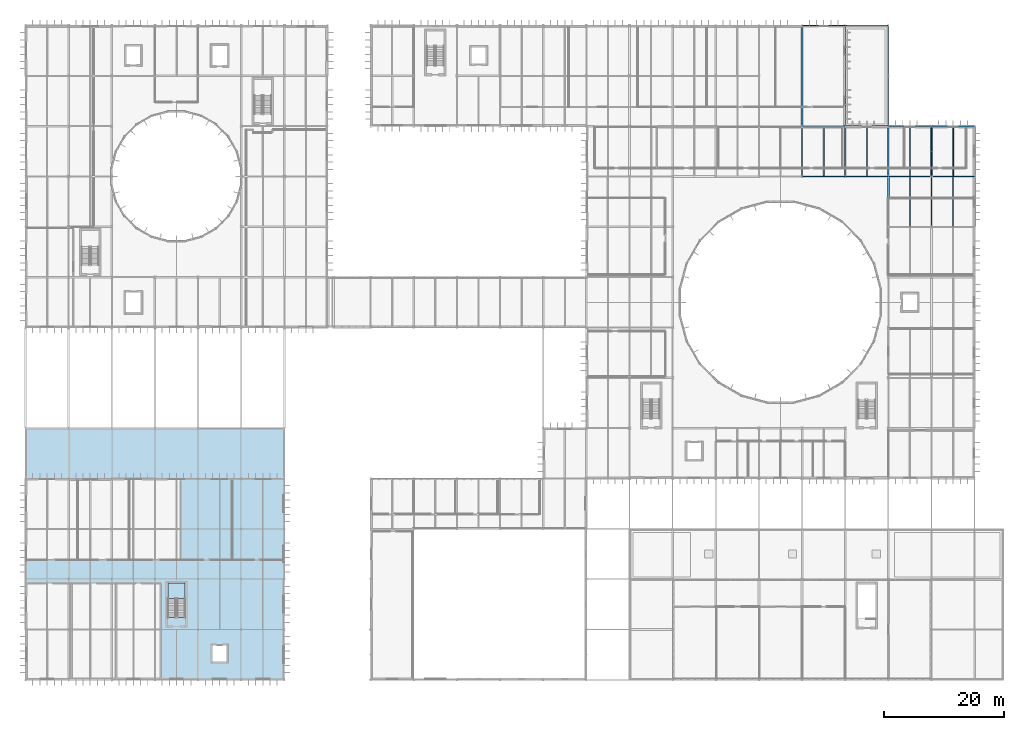
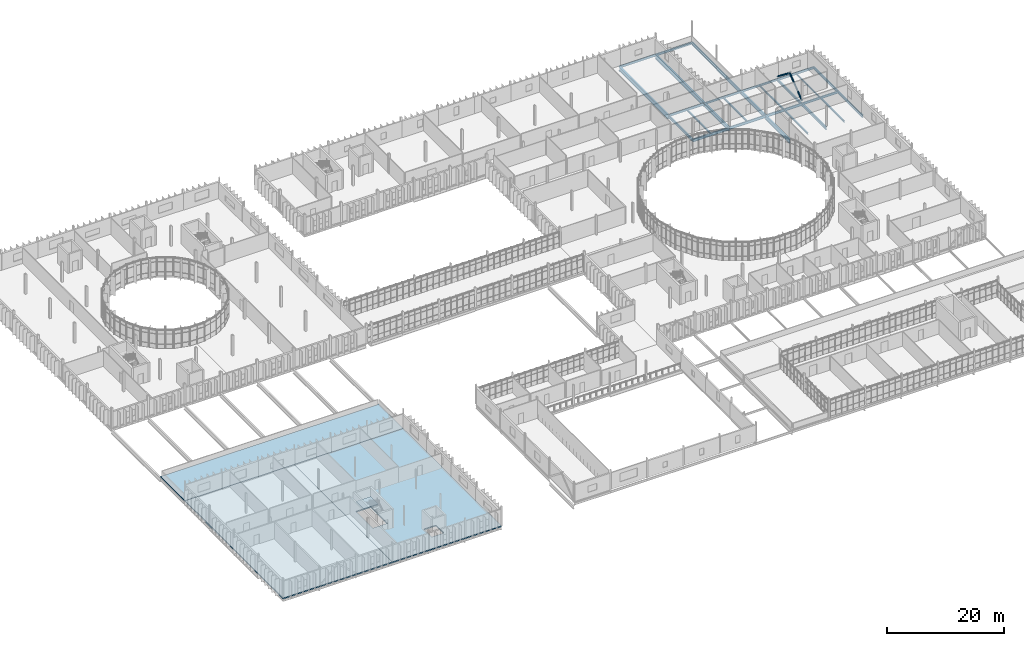
# One storey, part 66 of 119: 28 beams, 4 slabs, 2 members, 1 element without a shape of its own.
"""IFC4 building model written with IfcOpenShell, lengths in metres."""

import ifcopenshell
import ifcopenshell.guid

model = None  # the IFC model being written
_history = None  # IfcOwnerHistory: only IFC2X3 demands one
_inside = {}  # id of a spatial element -> (the spatial element, [elements in it])
_under = {}  # id of a project, library or spatial element -> (it, [spatial elements below it])
_declared = {}  # id of a project -> (the project, [libraries it declares])
_typed = {}  # id of a type object -> (the type object, [elements of that type])
_made_of = {}  # id of a material, layer set ... -> (it, [elements and type objects made of it])


def new_model(schema):
    """Start an empty IFC model of exactly this schema.

    Asked for "IFC4X3", IfcOpenShell would pick the latest addendum, in which some entities
    have other attributes; the version numbers below select the first issue.
    IFC2X3 requires an IfcOwnerHistory on every rooted entity: one is made here for all.
    """
    global model, _history
    if schema == "IFC4X3":
        model = ifcopenshell.file(schema_version=(4, 3, 0, 0))
    else:
        model = ifcopenshell.file(schema=schema)
    _inside.clear()
    _under.clear()
    _declared.clear()
    _typed.clear()
    _made_of.clear()
    _history = None
    if model.schema == "IFC2X3":
        org = make("IfcOrganization", Name="unknown")
        user = make(
            "IfcPersonAndOrganization",
            ThePerson=make("IfcPerson", FamilyName="unknown"),
            TheOrganization=org,
        )
        app = make(
            "IfcApplication",
            ApplicationDeveloper=org,
            Version="unknown",
            ApplicationFullName="unknown",
            ApplicationIdentifier="unknown",
        )
        _history = make(
            "IfcOwnerHistory",
            OwningUser=user,
            OwningApplication=app,
            ChangeAction="ADDED",
            CreationDate=0,
        )
    return model


def make(cls, **values):
    """One entity of the class cls with the attributes given. An attribute that is None is left unset."""
    return model.create_entity(
        cls, **{name: value for name, value in values.items() if value is not None}
    )


def rooted(cls, **values):
    """An entity with a GlobalId (a new one), such as an element, a storey or a relation."""
    return make(cls, GlobalId=ifcopenshell.guid.new(), OwnerHistory=_history, **values)


def si_unit(unit_type, name, prefix=None):
    """IfcSIUnit, for example si_unit("LENGTHUNIT", "METRE", prefix="MILLI")."""
    return make("IfcSIUnit", UnitType=unit_type, Prefix=prefix, Name=name)


def assignment(units):
    """IfcUnitAssignment: the units of a project."""
    return None if units is None else make("IfcUnitAssignment", Units=units)


def point(xyz):
    """IfcCartesianPoint."""
    return None if xyz is None else make("IfcCartesianPoint", Coordinates=xyz)


def direction(xyz):
    """IfcDirection."""
    return None if xyz is None else make("IfcDirection", DirectionRatios=xyz)


def frame(location, z_axis=None, x_axis=None):
    """IfcAxis2Placement3D, a coordinate frame: its origin and axes. An axis left out is left unset."""
    return make(
        "IfcAxis2Placement3D",
        Location=point(location),
        Axis=direction(z_axis),
        RefDirection=direction(x_axis),
    )


def frame_2d(location, x_axis=None):
    """IfcAxis2Placement2D, a coordinate frame in the plane: its origin and x axis."""
    return make(
        "IfcAxis2Placement2D", Location=point(location), RefDirection=direction(x_axis)
    )


def origin():
    """The frame at (0, 0, 0) with its axes left unset."""
    return frame((0.0, 0.0, 0.0))


def origin_2d():
    """The frame at (0, 0) in the plane with its x axis left unset."""
    return frame_2d((0.0, 0.0))


def place(relative_to, where):
    """IfcLocalPlacement: puts the frame where relative to a parent placement (None: the world)."""
    return make(
        "IfcLocalPlacement", PlacementRelTo=relative_to, RelativePlacement=where
    )


def context(
    kind, dimensions, precision=None, world=None, true_north=None, identifier=None
):
    """IfcGeometricRepresentationContext, for example the 3D "Model" context."""
    return make(
        "IfcGeometricRepresentationContext",
        ContextIdentifier=identifier,
        ContextType=kind,
        CoordinateSpaceDimension=dimensions,
        Precision=precision,
        WorldCoordinateSystem=world,
        TrueNorth=true_north,
    )


def subcontext(parent, identifier, kind, view, scale=None):
    """IfcGeometricRepresentationSubContext, for example "Body" below "Model"."""
    return make(
        "IfcGeometricRepresentationSubContext",
        ContextIdentifier=identifier,
        ContextType=kind,
        ParentContext=parent,
        TargetScale=scale,
        TargetView=view,
    )


def project(units=None, contexts=None):
    """IfcProject with its units and contexts."""
    return rooted(
        "IfcProject",
        Name="project",
        RepresentationContexts=contexts,
        UnitsInContext=assignment(units),
    )


def spatial(cls, under=None, at=None, **own):
    """A site, building, storey or space (cls), placed at a placement, below another one or the project."""
    s = rooted(cls, ObjectPlacement=at, **own)
    if under is not None:
        _under.setdefault(under.id(), (under, []))[1].append(s)
    return s


def polyline(points):
    """IfcPolyline through the points."""
    return make("IfcPolyline", Points=[point(p) for p in points])


def profile(cls, at=None, kind="AREA", **sizes):
    """A parametric profile (cls). Its sizes go by their IFC names, for example OverallWidth=200.0."""
    return make(cls, ProfileType=kind, Position=at, **sizes)


def hollow_circle(**sizes):
    """IfcCircleHollowProfileDef."""
    return profile("IfcCircleHollowProfileDef", **sizes)


def i_section(**sizes):
    """IfcIShapeProfileDef."""
    return profile("IfcIShapeProfileDef", **sizes)


def outline(outer, holes=None, kind="AREA"):
    """IfcArbitraryClosedProfileDef: a profile drawn as a closed curve; with holes, ...WithVoids."""
    if holes is None:
        return make("IfcArbitraryClosedProfileDef", ProfileType=kind, OuterCurve=outer)
    return make(
        "IfcArbitraryProfileDefWithVoids",
        ProfileType=kind,
        OuterCurve=outer,
        InnerCurves=holes,
    )


def extrude(swept, where, along, depth):
    """IfcExtrudedAreaSolid: the profile swept, set in the frame where, extruded along a direction by depth."""
    return make(
        "IfcExtrudedAreaSolid",
        SweptArea=swept,
        Position=where,
        ExtrudedDirection=direction(along),
        Depth=depth,
    )


def shape(context_of_items, identifier, shape_type, items):
    """IfcShapeRepresentation: the items that make up one representation, for example the "Body"."""
    return make(
        "IfcShapeRepresentation",
        ContextOfItems=context_of_items,
        RepresentationIdentifier=identifier,
        RepresentationType=shape_type,
        Items=items,
    )


def material(Name=None, Category=None):
    """IfcMaterial."""
    return make("IfcMaterial", Name=Name, Category=Category)


def layer(
    of_material, thickness, ventilated=None, Name=None, Category=None, Priority=None
):
    """IfcMaterialLayer: one layer of a wall or slab, of a material (None: an air gap)."""
    return make(
        "IfcMaterialLayer",
        Material=of_material,
        LayerThickness=thickness,
        IsVentilated=ventilated,
        Name=Name,
        Category=Category,
        Priority=Priority,
    )


def layer_set(layers, Name=None):
    """IfcMaterialLayerSet."""
    return make("IfcMaterialLayerSet", MaterialLayers=layers, LayerSetName=Name)


def material_profile(
    of_material, cross_section, Name=None, Category=None, Priority=None
):
    """IfcMaterialProfile: a cross section and its material."""
    return make(
        "IfcMaterialProfile",
        Name=Name,
        Material=of_material,
        Profile=cross_section,
        Priority=Priority,
        Category=Category,
    )


def profile_set(profiles, Name=None, composite=None):
    """IfcMaterialProfileSet."""
    return make(
        "IfcMaterialProfileSet",
        Name=Name,
        MaterialProfiles=profiles,
        CompositeProfile=composite,
    )


def made_of(thing, what):
    """Note that an element or type object is made of a material, layer set ...; save() writes the relation."""
    if what is not None:
        _made_of.setdefault(what.id(), (what, []))[1].append(thing)
    return thing


def type_object(cls, material=None, **own):
    """A type object (cls), such as IfcWallType, which elements share."""
    return made_of(rooted(cls, **own), material)


def element(
    cls,
    number,
    at=None,
    inside=None,
    cuts=None,
    type_object=None,
    material=None,
    context=None,
    identifier="Body",
    shape_type=None,
    held_by="IfcProductDefinitionShape",
    body=None,
    shapes=None,
    **own,
):
    """One element of the class cls, such as IfcWall. Its Tag is "e" and its number.

    at: its placement. inside: the storey or other place that contains it. cuts: it is an
    opening in that element (IfcRelVoidsElement). A single representation is given by context,
    identifier, shape_type and body (its items); several are given by shapes. held_by: the class
    of the entity that holds the representations. save() writes the other relations.
    """
    e = rooted(cls, Tag="e%d" % number, ObjectPlacement=at, **own)
    if body is not None:
        shapes = [shape(context, identifier, shape_type, body)]
    if shapes is not None:
        e.Representation = make(held_by, Representations=shapes)
    if inside is not None:
        _inside.setdefault(inside.id(), (inside, []))[1].append(e)
    if cuts is not None:
        rooted(
            "IfcRelVoidsElement", RelatingBuildingElement=cuts, RelatedOpeningElement=e
        )
    if type_object is not None:
        _typed.setdefault(type_object.id(), (type_object, []))[1].append(e)
    return made_of(e, material)


def aggregate(whole, parts):
    """IfcRelAggregates: a whole, such as a stair, and the parts it consists of."""
    return rooted("IfcRelAggregates", RelatingObject=whole, RelatedObjects=parts)


def save(model, path):
    """Write the relations noted so far, then the file.

    IfcRelAggregates (storeys below a building ...), IfcRelContainedInSpatialStructure (elements
    in a storey), IfcRelDefinesByType, IfcRelAssociatesMaterial and IfcRelDeclares: one each for
    every whole, place, type object, material and project.
    """
    for whole, parts in _under.values():
        aggregate(whole, parts)
    for where, things in _inside.values():
        rooted(
            "IfcRelContainedInSpatialStructure",
            RelatedElements=things,
            RelatingStructure=where,
        )
    for kind, things in _typed.values():
        rooted("IfcRelDefinesByType", RelatedObjects=things, RelatingType=kind)
    for what, things in _made_of.values():
        rooted("IfcRelAssociatesMaterial", RelatedObjects=things, RelatingMaterial=what)
    for by, libraries in _declared.values():
        rooted("IfcRelDeclares", RelatingContext=by, RelatedDefinitions=libraries)
    model.write(path)


model = new_model("IFC4")

# Units and contexts
model_context = context("Model", 3, precision=1e-05, world=origin(), true_north=direction((0.0, 1.0)))
body_context = subcontext(model_context, "Body", "Model", "MODEL_VIEW")
ifc_project = project(units=[si_unit("LENGTHUNIT", "METRE"), si_unit("AREAUNIT", "SQUARE_METRE"), si_unit("VOLUMEUNIT", "CUBIC_METRE"), si_unit("PLANEANGLEUNIT", "RADIAN"), si_unit("MASSUNIT", "GRAM", prefix="KILO")], contexts=[model_context])

# Site, building, storey
site_placement = place(None, origin())
site = spatial("IfcSite", under=ifc_project, at=site_placement, CompositionType="ELEMENT")
building_placement = place(site_placement, origin())
building = spatial("IfcBuilding", under=site, at=building_placement, Name="Qelthora Terrace Specialist Clinic", CompositionType="ELEMENT")
storey_placement = place(building_placement, frame((0.0, 0.0, 4.800048828125)))
storey = spatial("IfcBuildingStorey", under=building, at=storey_placement, Name="L01", CompositionType="ELEMENT", Elevation=4.800048828125)

# Beams
ifc_material_1 = material(Name="Steel S355", Category="steel")
ifc_material_profile_1 = material_profile(ifc_material_1, i_section(OverallWidth=0.178955078125, OverallDepth=0.409912109375, WebThickness=0.0087890625, FlangeThickness=0.014404296875, FilletRadius=0.011962890625, at=origin_2d()), Name="W410X67")
ifc_profile_set_1 = profile_set([ifc_material_profile_1], Name="Steel S355")
beam_type_1 = type_object("IfcBeamType", Name="BM-W410X67", PredefinedType="BEAM", material=ifc_profile_set_1)
beam_1_placement = place(storey_placement, frame((144.0, 92.39990234375, -0.455078125), z_axis=(1.0, 0.0, 0.0), x_axis=(0.0, 1.0, 0.0)))
element("IfcBeam", 1, at=beam_1_placement, inside=storey, type_object=beam_type_1, Name="Girder BMX-L01-0304", PredefinedType="BEAM", context=body_context, shape_type="SweptSolid", body=[
    extrude(i_section(OverallWidth=0.178955078125, OverallDepth=0.409912109375, WebThickness=0.0087890625, FlangeThickness=0.014404296875, FilletRadius=0.011962890625, at=origin_2d()), origin(), (0.0, 0.0, 1.0), 7.199951171875),
])
ifc_material_profile_2 = material_profile(ifc_material_1, i_section(OverallWidth=0.179931640625, OverallDepth=0.4130859375, WebThickness=0.009765625, FlangeThickness=0.01611328125, FilletRadius=0.011962890625, at=origin_2d()), Name="W410X75")
ifc_profile_set_2 = profile_set([ifc_material_profile_2], Name="Steel S355")
beam_type_2 = type_object("IfcBeamType", Name="BM-W410X75", PredefinedType="BEAM", material=ifc_profile_set_2)
beam_2_placement = place(storey_placement, frame((136.800048828125, 92.39990234375, -0.45654296875), z_axis=(1.0, 0.0, 0.0), x_axis=(0.0, 1.0, 0.0)))
element("IfcBeam", 2, at=beam_2_placement, inside=storey, type_object=beam_type_2, Name="Girder BMX-L01-0303", PredefinedType="BEAM", context=body_context, shape_type="SweptSolid", body=[
    extrude(i_section(OverallWidth=0.179931640625, OverallDepth=0.4130859375, WebThickness=0.009765625, FlangeThickness=0.01611328125, FilletRadius=0.011962890625, at=origin_2d()), origin(), (0.0, 0.0, 1.0), 7.199951171875),
])
ifc_material_profile_3 = material_profile(ifc_material_1, i_section(OverallWidth=0.19091796875, OverallDepth=0.4599609375, WebThickness=0.010009765625, FlangeThickness=0.01611328125, FilletRadius=0.012939453125, at=origin_2d()), Name="W460X82")
ifc_profile_set_3 = profile_set([ifc_material_profile_3], Name="Steel S355")
beam_type_3 = type_object("IfcBeamType", Name="BM-W460X82", PredefinedType="BEAM", material=ifc_profile_set_3)
beam_3_placement = place(storey_placement, frame((129.60009765625, 92.39990234375, -0.47998046875), z_axis=(1.0, 0.0, 0.0), x_axis=(0.0, 1.0, 0.0)))
element("IfcBeam", 3, at=beam_3_placement, inside=storey, type_object=beam_type_3, Name="Girder BMX-L01-0302", PredefinedType="BEAM", context=body_context, shape_type="SweptSolid", body=[
    extrude(i_section(OverallWidth=0.19091796875, OverallDepth=0.4599609375, WebThickness=0.010009765625, FlangeThickness=0.01611328125, FilletRadius=0.012939453125, at=origin_2d()), origin(), (0.0, 0.0, 1.0), 7.199951171875),
])
ifc_material_profile_4 = material_profile(ifc_material_1, i_section(OverallWidth=0.2099609375, OverallDepth=0.537109375, WebThickness=0.010986328125, FlangeThickness=0.017333984375, FilletRadius=0.013916015625, at=origin_2d()), Name="W530X101")
ifc_profile_set_4 = profile_set([ifc_material_profile_4], Name="Steel S355")
beam_type_4 = type_object("IfcBeamType", Name="BM-W530X101", PredefinedType="BEAM", material=ifc_profile_set_4)
beam_4_placement = place(storey_placement, frame((144.0, 84.0, -0.5185546875), z_axis=(1.0, 0.0, 0.0), x_axis=(0.0, 1.0, 0.0)))
element("IfcBeam", 4, at=beam_4_placement, inside=storey, type_object=beam_type_4, Name="Girder BMX-L01-0286", PredefinedType="BEAM", context=body_context, shape_type="SweptSolid", body=[
    extrude(i_section(OverallWidth=0.2099609375, OverallDepth=0.537109375, WebThickness=0.010986328125, FlangeThickness=0.017333984375, FilletRadius=0.013916015625, at=origin_2d()), origin(), (0.0, 0.0, 1.0), 7.199951171875),
])
beam_5_placement = place(storey_placement, frame((158.39990234375, 84.0, -0.5185546875), z_axis=(0.0, 1.0, 0.0), x_axis=(-1.0, 0.0, 0.0)))
element("IfcBeam", 5, at=beam_5_placement, inside=storey, type_object=beam_type_4, Name="Girder BMY-L01-0546", PredefinedType="BEAM", context=body_context, shape_type="SweptSolid", body=[
    extrude(i_section(OverallWidth=0.2099609375, OverallDepth=0.537109375, WebThickness=0.010986328125, FlangeThickness=0.017333984375, FilletRadius=0.013916015625, at=origin_2d()), origin(), (0.0, 0.0, 1.0), 8.39990234375),
])
ifc_material_profile_5 = material_profile(ifc_material_1, i_section(OverallWidth=0.2119140625, OverallDepth=0.5439453125, WebThickness=0.01318359375, FlangeThickness=0.021240234375, FilletRadius=0.013916015625, at=origin_2d()), Name="W530X123")
ifc_profile_set_5 = profile_set([ifc_material_profile_5], Name="Steel S355")
beam_type_5 = type_object("IfcBeamType", Name="BM-W530X123", PredefinedType="BEAM", material=ifc_profile_set_5)
beam_6_placement = place(storey_placement, frame((136.800048828125, 84.0, -0.52197265625), z_axis=(1.0, 0.0, 0.0), x_axis=(0.0, 1.0, 0.0)))
element("IfcBeam", 6, at=beam_6_placement, inside=storey, type_object=beam_type_5, Name="Girder BMX-L01-0285", PredefinedType="BEAM", context=body_context, shape_type="SweptSolid", body=[
    extrude(i_section(OverallWidth=0.2119140625, OverallDepth=0.5439453125, WebThickness=0.01318359375, FlangeThickness=0.021240234375, FilletRadius=0.013916015625, at=origin_2d()), origin(), (0.0, 0.0, 1.0), 7.199951171875),
])
for number, where, z_axis, x_axis, name in (
    (7, (129.60009765625, 84.0, -0.52197265625), (0.0, 1.0, 0.0), (-1.0, 0.0, 0.0), "Girder BMY-L01-0505"),
    (8, (151.199951171875, 84.0, -0.52197265625), (0.0, 1.0, 0.0), (-1.0, 0.0, 0.0), "Girder BMY-L01-0535"),
    (9, (158.39990234375, 75.60009765625, -0.52197265625), (0.0, 1.0, 0.0), (-1.0, 0.0, 0.0), "Girder BMY-L01-0545"),
):
    element("IfcBeam", number, at=place(storey_placement, frame(where, z_axis=z_axis, x_axis=x_axis)), inside=storey, type_object=beam_type_5, Name=name, PredefinedType="BEAM", context=body_context, shape_type="SweptSolid", body=[
        extrude(i_section(OverallWidth=0.2119140625, OverallDepth=0.5439453125, WebThickness=0.01318359375, FlangeThickness=0.021240234375, FilletRadius=0.013916015625, at=origin_2d()), origin(), (0.0, 0.0, 1.0), 8.39990234375),
    ])
ifc_material_profile_6 = material_profile(ifc_material_1, i_section(OverallWidth=0.22900390625, OverallDepth=0.612060546875, WebThickness=0.011962890625, FlangeThickness=0.01953125, FilletRadius=0.01611328125, at=origin_2d()), Name="W610X125")
ifc_profile_set_6 = profile_set([ifc_material_profile_6], Name="Steel S355")
beam_type_6 = type_object("IfcBeamType", Name="BM-W610X125", PredefinedType="BEAM", material=ifc_profile_set_6)
beam_7_placement = place(storey_placement, frame((129.60009765625, 84.0, -0.55615234375), z_axis=(1.0, 0.0, 0.0), x_axis=(0.0, 1.0, 0.0)))
element("IfcBeam", 10, at=beam_7_placement, inside=storey, type_object=beam_type_6, Name="Girder BMX-L01-0284", PredefinedType="BEAM", context=body_context, shape_type="SweptSolid", body=[
    extrude(i_section(OverallWidth=0.22900390625, OverallDepth=0.612060546875, WebThickness=0.011962890625, FlangeThickness=0.01953125, FilletRadius=0.01611328125, at=origin_2d()), origin(), (0.0, 0.0, 1.0), 7.199951171875),
])
ifc_material_profile_7 = material_profile(ifc_material_1, i_section(OverallWidth=0.22998046875, OverallDepth=0.616943359375, WebThickness=0.01318359375, FlangeThickness=0.022216796875, FilletRadius=0.01611328125, at=origin_2d()), Name="W610X140")
ifc_profile_set_7 = profile_set([ifc_material_profile_7], Name="Steel S355")
beam_type_7 = type_object("IfcBeamType", Name="BM-W610X140", PredefinedType="BEAM", material=ifc_profile_set_7)
for number, where, z_axis, x_axis, name in (
    (11, (144.0, 100.800048828125, -0.55859375), (0.0, 1.0, 0.0), (-1.0, 0.0, 0.0), "Girder BMY-L01-0524"),
    (12, (151.199951171875, 75.60009765625, -0.55859375), (0.0, 1.0, 0.0), (-1.0, 0.0, 0.0), "Girder BMY-L01-0534"),
):
    element("IfcBeam", number, at=place(storey_placement, frame(where, z_axis=z_axis, x_axis=x_axis)), inside=storey, type_object=beam_type_7, Name=name, PredefinedType="BEAM", context=body_context, shape_type="SweptSolid", body=[
        extrude(i_section(OverallWidth=0.22998046875, OverallDepth=0.616943359375, WebThickness=0.01318359375, FlangeThickness=0.022216796875, FilletRadius=0.01611328125, at=origin_2d()), origin(), (0.0, 0.0, 1.0), 8.39990234375),
    ])
ifc_material_profile_8 = material_profile(ifc_material_1, i_section(OverallWidth=0.256103515625, OverallDepth=0.693115234375, WebThickness=0.014404296875, FlangeThickness=0.023681640625, FilletRadius=0.01806640625, at=origin_2d()), Name="W690X170")
ifc_profile_set_8 = profile_set([ifc_material_profile_8], Name="Steel S355")
beam_type_8 = type_object("IfcBeamType", Name="BM-W690X170", PredefinedType="BEAM", material=ifc_profile_set_8)
beam_8_placement = place(storey_placement, frame((144.0, 92.39990234375, -0.596435546875), z_axis=(0.0, 1.0, 0.0), x_axis=(-1.0, 0.0, 0.0)))
element("IfcBeam", 13, at=beam_8_placement, inside=storey, type_object=beam_type_8, Name="Girder BMY-L01-0523", PredefinedType="BEAM", context=body_context, shape_type="SweptSolid", body=[
    extrude(i_section(OverallWidth=0.256103515625, OverallDepth=0.693115234375, WebThickness=0.014404296875, FlangeThickness=0.023681640625, FilletRadius=0.01806640625, at=origin_2d()), origin(), (0.0, 0.0, 1.0), 8.400146484375),
])
ifc_material_profile_9 = material_profile(ifc_material_1, i_section(OverallWidth=0.26806640625, OverallDepth=0.77001953125, WebThickness=0.015625, FlangeThickness=0.025390625, FilletRadius=0.01904296875, at=origin_2d()), Name="W760X196")
ifc_profile_set_9 = profile_set([ifc_material_profile_9], Name="Steel S355")
beam_type_9 = type_object("IfcBeamType", Name="BM-W760X196", PredefinedType="BEAM", material=ifc_profile_set_9)
beam_9_placement = place(storey_placement, frame((144.0, 84.0, -0.635009765625), z_axis=(0.0, 1.0, 0.0), x_axis=(-1.0, 0.0, 0.0)))
element("IfcBeam", 14, at=beam_9_placement, inside=storey, type_object=beam_type_9, Name="Girder BMY-L01-0522", PredefinedType="BEAM", context=body_context, shape_type="SweptSolid", body=[
    extrude(i_section(OverallWidth=0.26806640625, OverallDepth=0.77001953125, WebThickness=0.015625, FlangeThickness=0.025390625, FilletRadius=0.01904296875, at=origin_2d()), origin(), (0.0, 0.0, 1.0), 8.39990234375),
])
ifc_material_profile_10 = material_profile(ifc_material_1, i_section(OverallWidth=0.2939453125, OverallDepth=0.85107421875, WebThickness=0.01611328125, FlangeThickness=0.02685546875, FilletRadius=0.02001953125, at=origin_2d()), Name="W840X226")
ifc_profile_set_10 = profile_set([ifc_material_profile_10], Name="Steel S355")
beam_type_10 = type_object("IfcBeamType", Name="BM-W840X226", PredefinedType="BEAM", material=ifc_profile_set_10)
for number, where, z_axis, x_axis, name in (
    (15, (136.800048828125, 84.0, -0.675537109375), (0.0, 1.0, 0.0), (-1.0, 0.0, 0.0), "Girder BMY-L01-0511"),
    (16, (144.0, 75.60009765625, -0.675537109375), (0.0, 1.0, 0.0), (-1.0, 0.0, 0.0), "Girder BMY-L01-0521"),
):
    element("IfcBeam", number, at=place(storey_placement, frame(where, z_axis=z_axis, x_axis=x_axis)), inside=storey, type_object=beam_type_10, Name=name, PredefinedType="BEAM", context=body_context, shape_type="SweptSolid", body=[
        extrude(i_section(OverallWidth=0.2939453125, OverallDepth=0.85107421875, WebThickness=0.01611328125, FlangeThickness=0.02685546875, FilletRadius=0.02001953125, at=origin_2d()), origin(), (0.0, 0.0, 1.0), 8.39990234375),
    ])
ifc_material_profile_11 = material_profile(ifc_material_1, i_section(OverallWidth=0.30810546875, OverallDepth=0.927001953125, WebThickness=0.019287109375, FlangeThickness=0.031982421875, FilletRadius=0.02197265625, at=origin_2d()), Name="W920X289")
ifc_profile_set_11 = profile_set([ifc_material_profile_11], Name="Steel S355")
beam_type_11 = type_object("IfcBeamType", Name="BM-W920X289", PredefinedType="BEAM", material=ifc_profile_set_11)
for number, where, z_axis, x_axis, name in (
    (17, (129.60009765625, 92.39990234375, -0.713623046875), (0.0, 1.0, 0.0), (-1.0, 0.0, 0.0), "Girder BMY-L01-0506"),
    (18, (136.800048828125, 92.39990234375, -0.713623046875), (0.0, 1.0, 0.0), (-1.0, 0.0, 0.0), "Girder BMY-L01-0512"),
):
    element("IfcBeam", number, at=place(storey_placement, frame(where, z_axis=z_axis, x_axis=x_axis)), inside=storey, type_object=beam_type_11, Name=name, PredefinedType="BEAM", context=body_context, shape_type="SweptSolid", body=[
        extrude(i_section(OverallWidth=0.30810546875, OverallDepth=0.927001953125, WebThickness=0.019287109375, FlangeThickness=0.031982421875, FilletRadius=0.02197265625, at=origin_2d()), origin(), (0.0, 0.0, 1.0), 16.800048828125),
    ])
ifc_material_profile_12 = material_profile(ifc_material_1, i_section(OverallWidth=0.1669921875, OverallDepth=0.31689453125, WebThickness=0.007568359375, FlangeThickness=0.01318359375, FilletRadius=0.010009765625, at=origin_2d()), Name="W310X52")
ifc_profile_set_12 = profile_set([ifc_material_profile_12], Name="Steel S355")
beam_type_12 = type_object("IfcBeamType", Name="JST-W310X52", PredefinedType="JOIST", material=ifc_profile_set_12)
beam_10_placement = place(storey_placement, frame((154.800048828125, 84.095458984375, -0.408447265625), z_axis=(0.0, 1.0, 0.0), x_axis=(-1.0, 0.0, 0.0)))
element("IfcBeam", 19, at=beam_10_placement, inside=storey, type_object=beam_type_12, Name="Composite floor joist JST-L01-0147", PredefinedType="JOIST", context=body_context, shape_type="SweptSolid", body=[
    extrude(i_section(OverallWidth=0.1669921875, OverallDepth=0.31689453125, WebThickness=0.007568359375, FlangeThickness=0.01318359375, FilletRadius=0.010009765625, at=origin_2d()), origin(), (0.0, 0.0, 1.0), 8.208984375),
])
ifc_material_profile_13 = material_profile(ifc_material_1, i_section(OverallWidth=0.172119140625, OverallDepth=0.35791015625, WebThickness=0.0078125, FlangeThickness=0.01318359375, FilletRadius=0.010986328125, at=origin_2d()), Name="W360X57")
ifc_profile_set_13 = profile_set([ifc_material_profile_13], Name="Steel S355")
beam_type_13 = type_object("IfcBeamType", Name="JST-W360X57", PredefinedType="JOIST", material=ifc_profile_set_13)
beam_11_placement = place(storey_placement, frame((140.39990234375, 84.10595703125, -0.428955078125), z_axis=(0.0, 1.0, 0.0), x_axis=(-1.0, 0.0, 0.0)))
element("IfcBeam", 20, at=beam_11_placement, inside=storey, type_object=beam_type_13, Name="Composite floor joist JST-L01-0134", PredefinedType="JOIST", context=body_context, shape_type="SweptSolid", body=[
    extrude(i_section(OverallWidth=0.172119140625, OverallDepth=0.35791015625, WebThickness=0.0078125, FlangeThickness=0.01318359375, FilletRadius=0.010986328125, at=origin_2d()), origin(), (0.0, 0.0, 1.0), 8.2041015625),
])
beam_12_placement = place(storey_placement, frame((147.60009765625, 84.10498046875, -0.428955078125), z_axis=(0.0, 1.0, 0.0), x_axis=(-1.0, 0.0, 0.0)))
element("IfcBeam", 21, at=beam_12_placement, inside=storey, type_object=beam_type_13, Name="Composite floor joist JST-L01-0140", PredefinedType="JOIST", context=body_context, shape_type="SweptSolid", body=[
    extrude(i_section(OverallWidth=0.172119140625, OverallDepth=0.35791015625, WebThickness=0.0078125, FlangeThickness=0.01318359375, FilletRadius=0.010986328125, at=origin_2d()), origin(), (0.0, 0.0, 1.0), 8.20556640625),
])
beam_13_placement = place(storey_placement, frame((154.800048828125, 75.695556640625, -0.428955078125), z_axis=(0.0, 1.0, 0.0), x_axis=(-1.0, 0.0, 0.0)))
element("IfcBeam", 22, at=beam_13_placement, inside=storey, type_object=beam_type_13, Name="Composite floor joist JST-L01-0146", PredefinedType="JOIST", context=body_context, shape_type="SweptSolid", body=[
    extrude(i_section(OverallWidth=0.172119140625, OverallDepth=0.35791015625, WebThickness=0.0078125, FlangeThickness=0.01318359375, FilletRadius=0.010986328125, at=origin_2d()), origin(), (0.0, 0.0, 1.0), 8.208984375),
])
ifc_material_profile_14 = material_profile(ifc_material_1, i_section(OverallWidth=0.202880859375, OverallDepth=0.346923828125, WebThickness=0.0078125, FlangeThickness=0.013427734375, FilletRadius=0.010986328125, at=origin_2d()), Name="W360X64")
ifc_profile_set_14 = profile_set([ifc_material_profile_14], Name="Steel S355")
beam_type_14 = type_object("IfcBeamType", Name="JST-W360X64", PredefinedType="JOIST", material=ifc_profile_set_14)
beam_14_placement = place(storey_placement, frame((133.199951171875, 84.114501953125, -0.423583984375), z_axis=(0.0, 1.0, 0.0), x_axis=(-1.0, 0.0, 0.0)))
element("IfcBeam", 23, at=beam_14_placement, inside=storey, type_object=beam_type_14, Name="Composite floor joist JST-L01-0133", PredefinedType="JOIST", context=body_context, shape_type="SweptSolid", body=[
    extrude(i_section(OverallWidth=0.202880859375, OverallDepth=0.346923828125, WebThickness=0.0078125, FlangeThickness=0.013427734375, FilletRadius=0.010986328125, at=origin_2d()), origin(), (0.0, 0.0, 1.0), 8.18994140625),
])
beam_15_placement = place(storey_placement, frame((147.60009765625, 75.696533203125, -0.423583984375), z_axis=(0.0, 1.0, 0.0), x_axis=(-1.0, 0.0, 0.0)))
element("IfcBeam", 24, at=beam_15_placement, inside=storey, type_object=beam_type_14, Name="Composite floor joist JST-L01-0139", PredefinedType="JOIST", context=body_context, shape_type="SweptSolid", body=[
    extrude(i_section(OverallWidth=0.202880859375, OverallDepth=0.346923828125, WebThickness=0.0078125, FlangeThickness=0.013427734375, FilletRadius=0.010986328125, at=origin_2d()), origin(), (0.0, 0.0, 1.0), 8.198486328125),
])

# Members
ifc_material_profile_15 = material_profile(ifc_material_1, hollow_circle(Radius=0.16162109375, WallThickness=0.011962890625, at=origin_2d()), Name="CHS323X12")
ifc_profile_set_15 = profile_set([ifc_material_profile_15], Name="Steel S355")
member_type = type_object("IfcMemberType", Name="MEM-BRACE-CHS323", PredefinedType="BRACE", material=ifc_profile_set_15)
for number, where, z_axis, x_axis, name in (
    (25, (151.199951171875, 84.0, 0.179931640625), (0.0, 0.789043399971, 0.614337458537), (-1.0, 0.0, 0.0), "Concentric seismic chevron brace B4-L01A"),
    (26, (151.199951171875, 92.39990234375, 0.179931640625), (0.0, -0.789043399971, 0.614337458537), (1.0, 0.0, 0.0), "Concentric seismic chevron brace B4-L01B"),
):
    element("IfcMember", number, at=place(storey_placement, frame(where, z_axis=z_axis, x_axis=x_axis)), inside=storey, type_object=member_type, Name=name, PredefinedType="BRACE", context=body_context, shape_type="SweptSolid", body=[
        extrude(hollow_circle(Radius=0.16162109375, WallThickness=0.011962890625, at=origin_2d()), origin(), (0.0, 0.0, 1.0), 5.32275390625),
    ])

# Beams
ifc_material_profile_16 = material_profile(ifc_material_1, i_section(OverallWidth=0.19091796875, OverallDepth=0.4599609375, WebThickness=0.010009765625, FlangeThickness=0.01611328125, FilletRadius=0.012939453125, at=origin_2d()), Name="W460X82")
ifc_profile_set_16 = profile_set([ifc_material_profile_16], Name="Steel S355")
beam_type_15 = type_object("IfcBeamType", Name="SPD-W460X82", PredefinedType="SPANDREL", material=ifc_profile_set_16)
for number, where, z_axis, x_axis, name in (
    (27, (151.199951171875, 84.0, -0.47998046875), (1.0, 0.0, 0.0), (0.0, 1.0, 0.0), "Girder BMX-L01-0287"),
    (28, (151.199951171875, 92.39990234375, -0.47998046875), (1.0, 0.0, 0.0), (0.0, 1.0, 0.0), "Girder BMX-L01-0305"),
    (29, (129.60009765625, 109.199951171875, -0.47998046875), (1.0, 0.0, 0.0), (0.0, 1.0, 0.0), "Girder BMX-L01-0338"),
    (30, (136.800048828125, 109.199951171875, -0.47998046875), (1.0, 0.0, 0.0), (0.0, 1.0, 0.0), "Girder BMX-L01-0339"),
):
    element("IfcBeam", number, at=place(storey_placement, frame(where, z_axis=z_axis, x_axis=x_axis)), inside=storey, type_object=beam_type_15, Name=name, PredefinedType="SPANDREL", context=body_context, shape_type="SweptSolid", body=[
        extrude(i_section(OverallWidth=0.19091796875, OverallDepth=0.4599609375, WebThickness=0.010009765625, FlangeThickness=0.01611328125, FilletRadius=0.012939453125, at=origin_2d()), origin(), (0.0, 0.0, 1.0), 7.199951171875),
    ])

# Slabs
ifc_material_2 = material(Name="Concrete C30/37", Category="concrete")
ifc_layer_1 = layer(ifc_material_2, 0.239990234375)
ifc_layer_set_1 = layer_set([ifc_layer_1], Name="Concrete C30/37")
slab_type_1 = type_object("IfcSlabType", Name="SLB-IMG-240-C30", PredefinedType="FLOOR", material=ifc_layer_set_1)
slab_1_placement = place(storey_placement, frame((0.0, 0.0, -0.239990234375)))
element("IfcSlab", 31, at=slab_1_placement, inside=storey, type_object=slab_type_1, Name="L01 V2 slab SLB-L01-V2A", PredefinedType="FLOOR", context=body_context, shape_type="SweptSolid", body=[
    extrude(outline(polyline([(0.0, 33.60009765625), (21.60009765625, 33.60009765625), (21.60009765625, 0.0), (0.0, 0.0), (0.0, 33.60009765625)])), origin(), (0.0, 0.0, 1.0), 0.239990234375),
])
slab_2_placement = place(storey_placement, frame((0.0, 0.0, -0.239990234375)))
element("IfcSlab", 32, at=slab_2_placement, inside=storey, type_object=slab_type_1, Name="L01 V2 slab SLB-L01-V2B", PredefinedType="FLOOR", context=body_context, shape_type="SweptSolid", body=[
    extrude(outline(polyline([(21.60009765625, 33.60009765625), (43.199951171875, 33.60009765625), (43.199951171875, 0.0), (21.60009765625, 0.0), (21.60009765625, 33.60009765625)]), holes=[polyline([(33.60009765625, 5.75), (31.199951171875, 5.75), (31.199951171875, 3.050048828125), (33.60009765625, 3.050048828125), (33.60009765625, 5.75)]), polyline([(26.64990234375, 10.400634765625), (26.64990234375, 16.14990234375), (23.75, 16.14990234375), (23.75, 10.400634765625), (26.64990234375, 10.400634765625)])]), origin(), (0.0, 0.0, 1.0), 0.239990234375),
])

# Stair, slab
stair_type = type_object("IfcStairType", Name="STR-175-290", PredefinedType="HALF_TURN_STAIR", material=ifc_material_2)
stair_placement = place(storey_placement, origin())
stair = element("IfcStair", 33, at=stair_placement, inside=storey, type_object=stair_type, Name="L01 Enclosed Exit Stair ST-03", PredefinedType="HALF_TURN_STAIR")
ifc_layer_2 = layer(ifc_material_2, 0.199951171875)
ifc_layer_set_2 = layer_set([ifc_layer_2], Name="Concrete C30/37")
slab_type_2 = type_object("IfcSlabType", Name="SLB-LAND-200-C30", PredefinedType="LANDING", material=ifc_layer_set_2)
slab_3_placement = place(storey_placement, frame((0.0, 0.0, 1.89990234375)))
slab_3 = element("IfcSlab", 34, at=slab_3_placement, type_object=slab_type_2, Name="ST-03 landing 1", PredefinedType="LANDING", context=body_context, shape_type="SweptSolid", body=[
    extrude(outline(polyline([(26.64990234375, 13.590087890625), (26.64990234375, 16.14990234375), (23.75, 16.14990234375), (23.75, 13.590087890625), (26.64990234375, 13.590087890625)])), origin(), (0.0, 0.0, 1.0), 0.199951171875),
])
aggregate(stair, [slab_3])

# Slab
ifc_layer_3 = layer(ifc_material_2, 0.22509765625)
ifc_layer_set_3 = layer_set([ifc_layer_3], Name="Concrete C30/37")
slab_type_3 = type_object("IfcSlabType", Name="SLB-ROOF-170-ZINC", PredefinedType="ROOF", material=ifc_layer_set_3)
slab_4_placement = place(storey_placement, frame((0.0, 0.0, -0.22509765625)))
element("IfcSlab", 35, at=slab_4_placement, inside=storey, type_object=slab_type_3, Name="V2 lower ambulance triage roof slab", PredefinedType="ROOF", context=body_context, shape_type="SweptSolid", body=[
    extrude(outline(polyline([(0.0, 33.60009765625), (43.199951171875, 33.60009765625), (43.199951171875, 42.0), (0.0, 42.0), (0.0, 33.60009765625)])), origin(), (0.0, 0.0, 1.0), 0.22509765625),
])

save(model, "model.ifc")
